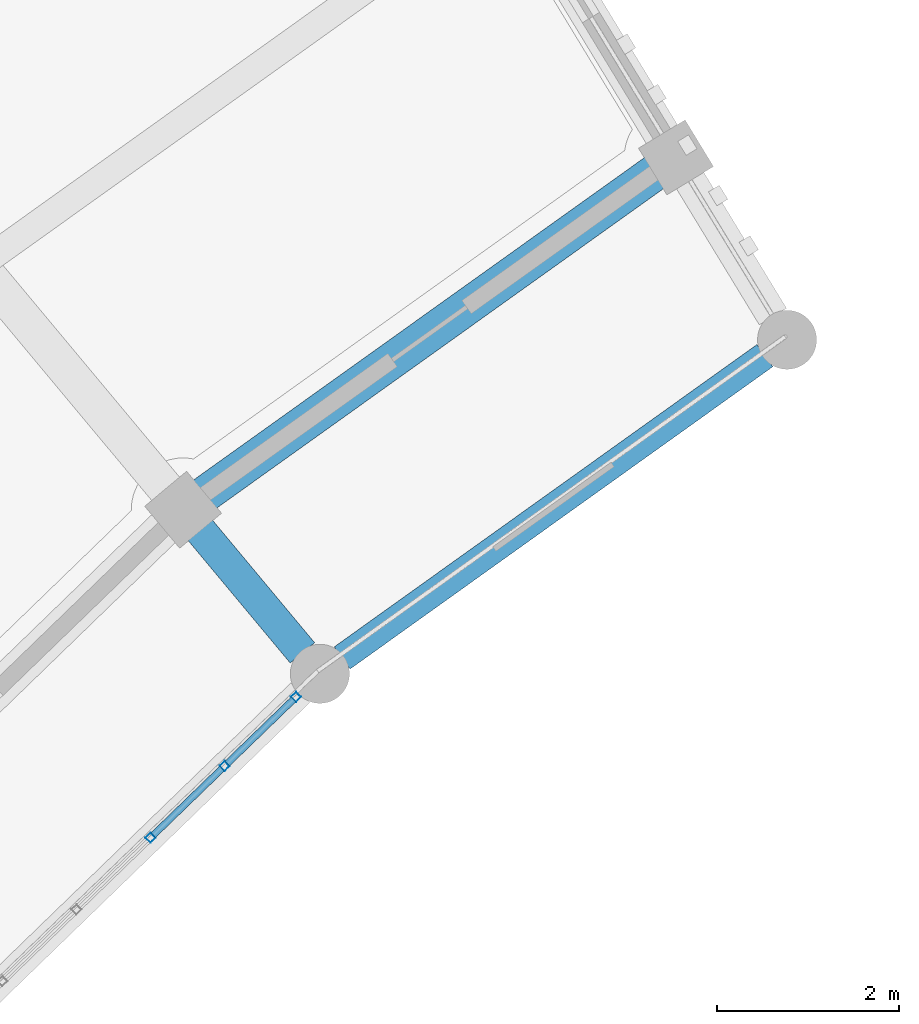
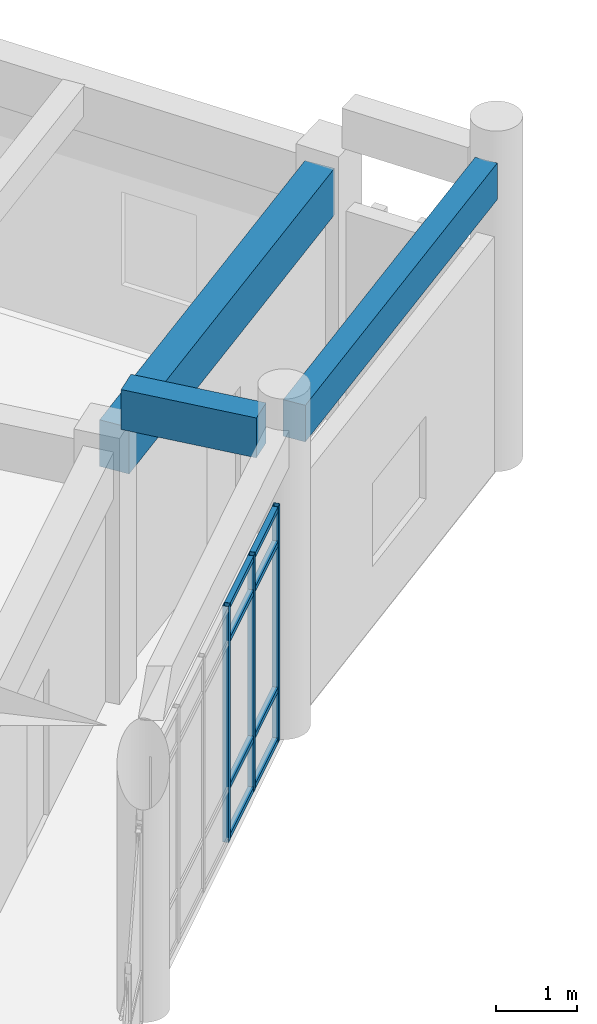
# One storey, part 67 of 159: 11 members, 3 beams, 1 element without a shape of its own.
"""IFC4 building model written with IfcOpenShell, lengths in metres."""

from ifc_helpers import new_model, si_unit, direction, frame, origin, origin_2d, place, context, subcontext, project, spatial, rectangle, hollow_rectangle, extrude, material, material_profile, profile_set, type_object, element, aggregate, save


model = new_model("IFC4")

# Units and contexts
model_context = context("Model", 3, precision=1e-05, world=origin(), true_north=direction((0.0, 1.0)))
body_context = subcontext(model_context, "Body", "Model", "MODEL_VIEW")
ifc_project = project(units=[si_unit("LENGTHUNIT", "METRE"), si_unit("AREAUNIT", "SQUARE_METRE"), si_unit("VOLUMEUNIT", "CUBIC_METRE"), si_unit("PLANEANGLEUNIT", "RADIAN"), si_unit("MASSUNIT", "GRAM", prefix="KILO")], contexts=[model_context])

# Site, building, storey
site_placement = place(None, origin())
site = spatial("IfcSite", under=ifc_project, at=site_placement, CompositionType="ELEMENT")
building_placement = place(site_placement, origin())
building = spatial("IfcBuilding", under=site, at=building_placement, Name="Celadon Cloister-Ring School", CompositionType="ELEMENT")
storey_placement = place(building_placement, frame((0.0, 0.0, 4.5)))
storey = spatial("IfcBuildingStorey", under=building, at=storey_placement, Name="L01", CompositionType="ELEMENT", Elevation=4.5)

# Beam
ifc_material_1 = material(Name="Concrete C35/45", Category="concrete")
ifc_material_profile_1 = material_profile(ifc_material_1, rectangle(XDim=0.35009765625, YDim=0.60009765625, at=origin_2d()), Name="RC350X600")
ifc_profile_set_1 = profile_set([ifc_material_profile_1], Name="Concrete C35/45")
beam_type_1 = type_object("IfcBeamType", Name="BT-02", PredefinedType="BEAM", material=ifc_profile_set_1)
beam_1_placement = place(storey_placement, frame((58.361083984375, 93.35400390625, 4.35009765625), z_axis=(0.640279058295, -0.768142387523, 0.0), x_axis=(0.768142387523, 0.640279058295, 0.0)))
element("IfcBeam", 1, at=beam_1_placement, inside=storey, type_object=beam_type_1, Name="Beam 0202", PredefinedType="BEAM", context=body_context, shape_type="SweptSolid", body=[
    extrude(rectangle(XDim=0.35009765625, YDim=0.60009765625, at=origin_2d()), origin(), (0.0, 0.0, 1.0), 1.775634765625),
])

# Curtain wall, members
ifc_material_2 = material(Name="Aluminium EN AW-6063 T6", Category="aluminium")
curtain_wall_type = type_object("IfcCurtainWallType", Name="CW-01", PredefinedType="USERDEFINED", material=ifc_material_2)
curtain_wall_placement = place(storey_placement, origin())
curtain_wall = element("IfcCurtainWall", 2, at=curtain_wall_placement, inside=storey, type_object=curtain_wall_type, Name="Curtain Wall 0021", ObjectType="CURTAIN WALL", PredefinedType="USERDEFINED")
ifc_material_3 = material(Name="Aluminium EN AW-6063 T6", Category="aluminium")
ifc_material_profile_2 = material_profile(ifc_material_3, hollow_rectangle(XDim=0.080078125, YDim=0.080078125, WallThickness=0.00390625, at=origin_2d()), Name="RHS80X80X4")
ifc_profile_set_2 = profile_set([ifc_material_profile_2], Name="Aluminium EN AW-6063 T6")
member_type_1 = type_object("IfcMemberType", Name="CM-03", PredefinedType="MULLION", material=ifc_profile_set_2)
member_1_placement = place(storey_placement, frame((59.42822265625, 91.506103515625, 0.0), z_axis=(0.0, 0.0, 1.0), x_axis=(0.695459621292, -0.718565178082, 0.0)))
member_1 = element("IfcMember", 3, at=member_1_placement, type_object=member_type_1, Name="CW-01 mullion 1", PredefinedType="MULLION", context=body_context, shape_type="SweptSolid", body=[
    extrude(hollow_rectangle(XDim=0.080078125, YDim=0.080078125, WallThickness=0.00390625, at=origin_2d()), origin(), (0.0, 0.0, 1.0), 3.550048828125),
])
member_2_placement = place(storey_placement, frame((58.64208984375, 90.745361328125, 0.0), z_axis=(0.0, 0.0, 1.0), x_axis=(0.695459621292, -0.718565178082, 0.0)))
member_2 = element("IfcMember", 4, at=member_2_placement, type_object=member_type_1, Name="CW-01 mullion 2", PredefinedType="MULLION", context=body_context, shape_type="SweptSolid", body=[
    extrude(hollow_rectangle(XDim=0.080078125, YDim=0.080078125, WallThickness=0.00390625, at=origin_2d()), origin(), (0.0, 0.0, 1.0), 3.550048828125),
])
member_3_placement = place(storey_placement, frame((57.827392578125, 89.956787109375, 0.0), z_axis=(0.0, 0.0, 1.0), x_axis=(0.695459621292, -0.718565178082, 0.0)))
member_3 = element("IfcMember", 5, at=member_3_placement, type_object=member_type_1, Name="CW-01 mullion 3", PredefinedType="MULLION", context=body_context, shape_type="SweptSolid", body=[
    extrude(hollow_rectangle(XDim=0.080078125, YDim=0.080078125, WallThickness=0.00390625, at=origin_2d()), origin(), (0.0, 0.0, 1.0), 3.550048828125),
])
ifc_material_4 = material(Name="Aluminium EN AW-6063 T6", Category="aluminium")
ifc_material_profile_3 = material_profile(ifc_material_4, hollow_rectangle(XDim=0.074951171875, YDim=0.074951171875, WallThickness=0.00390625, at=origin_2d()), Name="RHS75X75X4")
ifc_profile_set_3 = profile_set([ifc_material_profile_3], Name="Aluminium EN AW-6063 T6")
member_type_2 = type_object("IfcMemberType", Name="CTM-03", PredefinedType="USERDEFINED", material=ifc_profile_set_3)
member_4_placement = place(storey_placement, frame((59.3994140625, 91.478271484375, 0.03759765625), z_axis=(-0.718571085746, -0.695453517304, 0.0), x_axis=(0.695453517304, -0.718571085746, 0.0)))
member_4 = element("IfcMember", 6, at=member_4_placement, type_object=member_type_2, Name="CW-01 transom 1.1", ObjectType="TRANSOM", PredefinedType="USERDEFINED", context=body_context, shape_type="SweptSolid", body=[
    extrude(hollow_rectangle(XDim=0.074951171875, YDim=0.074951171875, WallThickness=0.00390625, at=origin_2d()), origin(), (0.0, 0.0, 1.0), 1.013916015625),
])
member_5_placement = place(storey_placement, frame((59.3994140625, 91.478271484375, 0.800048828125), z_axis=(-0.718571085746, -0.695453517304, 0.0), x_axis=(0.695453517304, -0.718571085746, 0.0)))
member_5 = element("IfcMember", 7, at=member_5_placement, type_object=member_type_2, Name="CW-01 transom 1.2", ObjectType="TRANSOM", PredefinedType="USERDEFINED", context=body_context, shape_type="SweptSolid", body=[
    extrude(hollow_rectangle(XDim=0.074951171875, YDim=0.074951171875, WallThickness=0.00390625, at=origin_2d()), origin(), (0.0, 0.0, 1.0), 1.013916015625),
])
member_6_placement = place(storey_placement, frame((59.3994140625, 91.478271484375, 3.0), z_axis=(-0.718571085746, -0.695453517304, 0.0), x_axis=(0.695453517304, -0.718571085746, 0.0)))
member_6 = element("IfcMember", 8, at=member_6_placement, type_object=member_type_2, Name="CW-01 transom 1.3", ObjectType="TRANSOM", PredefinedType="USERDEFINED", context=body_context, shape_type="SweptSolid", body=[
    extrude(hollow_rectangle(XDim=0.074951171875, YDim=0.074951171875, WallThickness=0.00390625, at=origin_2d()), origin(), (0.0, 0.0, 1.0), 1.013916015625),
])
member_7_placement = place(storey_placement, frame((59.3994140625, 91.478271484375, 3.512451171875), z_axis=(-0.718571085746, -0.695453517304, 0.0), x_axis=(0.695453517304, -0.718571085746, 0.0)))
member_7 = element("IfcMember", 9, at=member_7_placement, type_object=member_type_2, Name="CW-01 transom 1.4", ObjectType="TRANSOM", PredefinedType="USERDEFINED", context=body_context, shape_type="SweptSolid", body=[
    extrude(hollow_rectangle(XDim=0.074951171875, YDim=0.074951171875, WallThickness=0.00390625, at=origin_2d()), origin(), (0.0, 0.0, 1.0), 1.013916015625),
])
member_8_placement = place(storey_placement, frame((58.613525390625, 90.717529296875, 0.03759765625), z_axis=(-0.71859467299, -0.695429145169, 0.0), x_axis=(0.695429145169, -0.71859467299, 0.0)))
member_8 = element("IfcMember", 10, at=member_8_placement, type_object=member_type_2, Name="CW-01 transom 2.1", ObjectType="TRANSOM", PredefinedType="USERDEFINED", context=body_context, shape_type="SweptSolid", body=[
    extrude(hollow_rectangle(XDim=0.074951171875, YDim=0.074951171875, WallThickness=0.00390625, at=origin_2d()), origin(), (0.0, 0.0, 1.0), 1.053955078125),
])
member_9_placement = place(storey_placement, frame((58.613525390625, 90.717529296875, 0.800048828125), z_axis=(-0.71859467299, -0.695429145169, 0.0), x_axis=(0.695429145169, -0.71859467299, 0.0)))
member_9 = element("IfcMember", 11, at=member_9_placement, type_object=member_type_2, Name="CW-01 transom 2.2", ObjectType="TRANSOM", PredefinedType="USERDEFINED", context=body_context, shape_type="SweptSolid", body=[
    extrude(hollow_rectangle(XDim=0.074951171875, YDim=0.074951171875, WallThickness=0.00390625, at=origin_2d()), origin(), (0.0, 0.0, 1.0), 1.053955078125),
])
member_10_placement = place(storey_placement, frame((58.613525390625, 90.717529296875, 3.0), z_axis=(-0.71859467299, -0.695429145169, 0.0), x_axis=(0.695429145169, -0.71859467299, 0.0)))
member_10 = element("IfcMember", 12, at=member_10_placement, type_object=member_type_2, Name="CW-01 transom 2.3", ObjectType="TRANSOM", PredefinedType="USERDEFINED", context=body_context, shape_type="SweptSolid", body=[
    extrude(hollow_rectangle(XDim=0.074951171875, YDim=0.074951171875, WallThickness=0.00390625, at=origin_2d()), origin(), (0.0, 0.0, 1.0), 1.053955078125),
])
member_11_placement = place(storey_placement, frame((58.613525390625, 90.717529296875, 3.512451171875), z_axis=(-0.71859467299, -0.695429145169, 0.0), x_axis=(0.695429145169, -0.71859467299, 0.0)))
member_11 = element("IfcMember", 13, at=member_11_placement, type_object=member_type_2, Name="CW-01 transom 2.4", ObjectType="TRANSOM", PredefinedType="USERDEFINED", context=body_context, shape_type="SweptSolid", body=[
    extrude(hollow_rectangle(XDim=0.074951171875, YDim=0.074951171875, WallThickness=0.00390625, at=origin_2d()), origin(), (0.0, 0.0, 1.0), 1.053955078125),
])
aggregate(curtain_wall, [member_1, member_2, member_3, member_4, member_5, member_6, member_7, member_8, member_9, member_10, member_11])

# Beams
ifc_material_5 = material(Name="Concrete C35/45", Category="concrete")
ifc_material_profile_4 = material_profile(ifc_material_5, rectangle(XDim=0.39990234375, YDim=0.699951171875, at=origin_2d()), Name="RC400X700")
ifc_profile_set_4 = profile_set([ifc_material_profile_4], Name="Concrete C35/45")
beam_type_2 = type_object("IfcBeamType", Name="GT-03", PredefinedType="USERDEFINED", material=ifc_profile_set_4)
beam_2_placement = place(storey_placement, frame((63.384033203125, 97.281982421875, 3.429931640625), z_axis=(-0.813482549001, -0.581589324585, 0.0), x_axis=(0.581589324585, -0.813482549001, 0.0)))
element("IfcBeam", 14, at=beam_2_placement, inside=storey, type_object=beam_type_2, Name="Beam 0268", ObjectType="GIRDER", PredefinedType="USERDEFINED", context=body_context, shape_type="SweptSolid", body=[
    extrude(rectangle(XDim=0.39990234375, YDim=0.699951171875, at=origin_2d()), origin(), (0.0, 0.0, 1.0), 6.11572265625),
])
ifc_material_6 = material(Name="Concrete C35/45", Category="concrete")
ifc_material_profile_5 = material_profile(ifc_material_6, rectangle(XDim=0.300048828125, YDim=0.550048828125, at=origin_2d()), Name="RC300X550")
ifc_profile_set_5 = profile_set([ifc_material_profile_5], Name="Concrete C35/45")
beam_type_3 = type_object("IfcBeamType", Name="SP-02", PredefinedType="SPANDREL", material=ifc_profile_set_5)
beam_3_placement = place(storey_placement, frame((64.5859375, 95.260986328125, 4.375), z_axis=(-0.813390089267, -0.581718628447, 0.0), x_axis=(0.581718628447, -0.813390089267, 0.0)))
element("IfcBeam", 15, at=beam_3_placement, inside=storey, type_object=beam_type_3, Name="Beam 0269", PredefinedType="SPANDREL", context=body_context, shape_type="SweptSolid", body=[
    extrude(rectangle(XDim=0.300048828125, YDim=0.550048828125, at=origin_2d()), origin(), (0.0, 0.0, 1.0), 5.718994140625),
])

save(model, "model.ifc")
